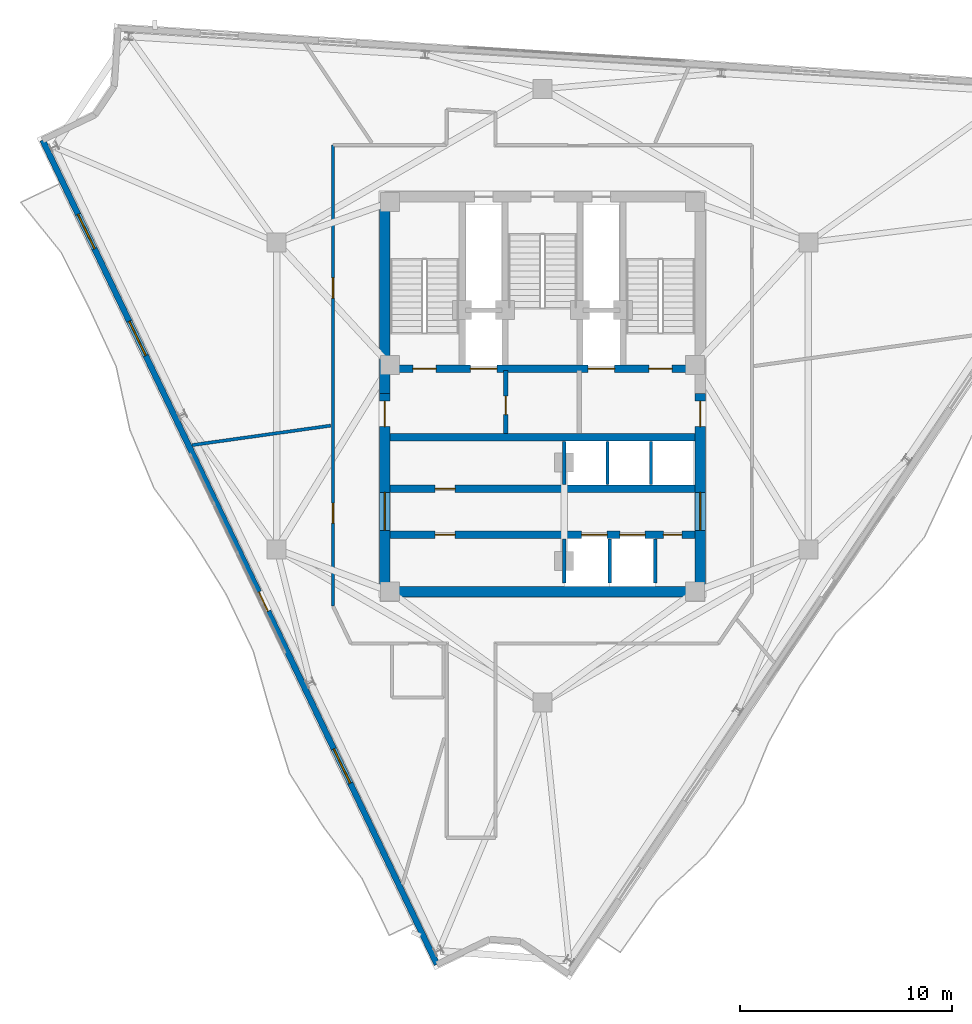
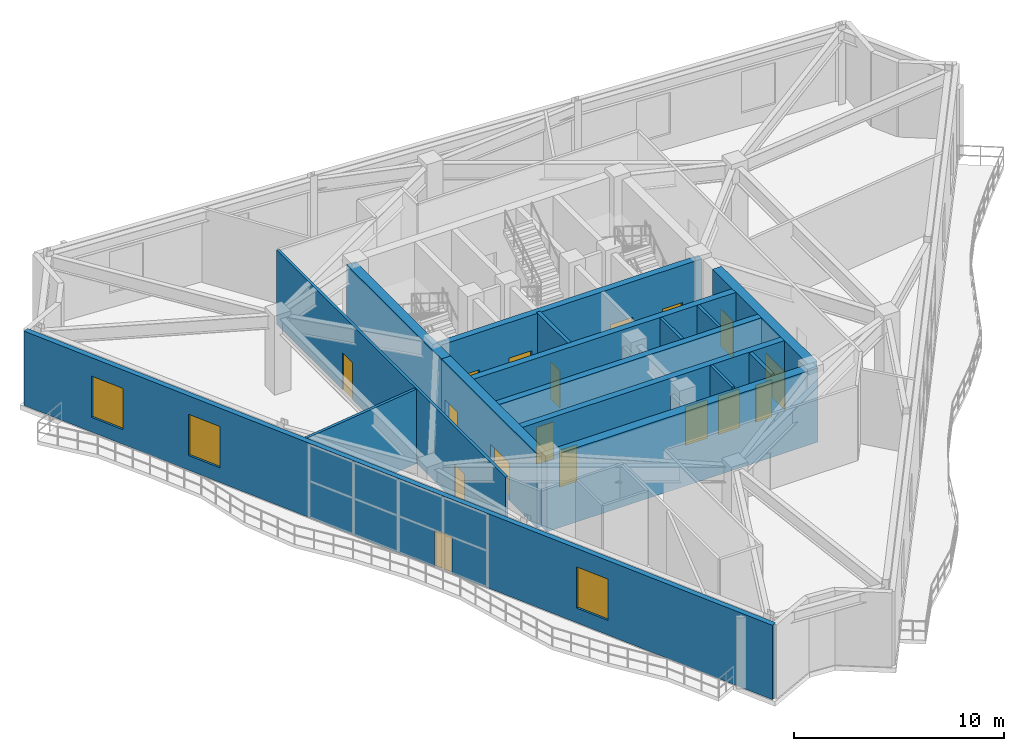
# One storey, part 10 of 15: 18 walls, 17 doors, 3 windows, 20 openings.
"""IFC4 building model written with IfcOpenShell, lengths in metres."""

from ifc_helpers import new_model, si_unit, direction, frame, frame_2d, origin, place, context, subcontext, project, spatial, rectangle, extrude, material, layer, layer_set, type_object, element, fill, save


model = new_model("IFC4")

# Units and contexts
model_context = context("Model", 3, precision=1e-05, world=origin(), true_north=direction((0.0, 1.0)))
body_context = subcontext(model_context, "Body", "Model", "MODEL_VIEW")
ifc_project = project(units=[si_unit("LENGTHUNIT", "METRE"), si_unit("AREAUNIT", "SQUARE_METRE"), si_unit("VOLUMEUNIT", "CUBIC_METRE"), si_unit("PLANEANGLEUNIT", "RADIAN"), si_unit("MASSUNIT", "GRAM", prefix="KILO")], contexts=[model_context])

# Site, building, storey
site_placement = place(None, origin())
site = spatial("IfcSite", under=ifc_project, at=site_placement, CompositionType="ELEMENT")
building_placement = place(site_placement, origin())
building = spatial("IfcBuilding", under=site, at=building_placement, Name="Apsidion Concourse Tower", CompositionType="ELEMENT")
storey_placement = place(building_placement, frame((0.0, 0.0, 318.800048828125)))
storey = spatial("IfcBuildingStorey", under=building, at=storey_placement, Name="L75", CompositionType="ELEMENT", Elevation=318.800048828125)

# Wall, openings, door, windows
ifc_material_1 = material(Name="Precast concrete C40/50", Category="concrete")
ifc_layer_1 = layer(ifc_material_1, 0.280029296875)
ifc_layer_set_1 = layer_set([ifc_layer_1], Name="Precast concrete C40/50")
wall_type_1 = type_object("IfcWallType", Name="WL-EXT-280", PredefinedType="STANDARD", material=ifc_layer_set_1)
wall_1_placement = place(storey_placement, frame((-4.98828125, -26.864501953125, 0.0), z_axis=(0.0, 0.0, 1.0), x_axis=(-0.431592936847, 0.902068476815, 0.0)))
wall_1 = element("IfcWall", 1, at=wall_1_placement, inside=storey, type_object=wall_type_1, Name="L75 Precast Stone Facade Wall 09", PredefinedType="STANDARD", context=body_context, shape_type="SweptSolid", body=[
    extrude(rectangle(XDim=43.18017578125, YDim=0.280029296875, at=frame_2d((21.590087890625, 0.0))), origin(), (0.0, 0.0, 1.0), 4.320068359375),
])
opening_1_placement = place(wall_1_placement, frame((18.499267578125, 0.0, 0.0)))
opening_1 = element("IfcOpeningElement", 2, at=opening_1_placement, cuts=wall_1, Name="Opening D-T1R", PredefinedType="OPENING", context=body_context, shape_type="SweptSolid", body=[
    extrude(rectangle(XDim=1.0, YDim=2.14990234375, at=frame_2d((0.5, 1.074951171875))), frame((0.0, 0.14990234375, 0.0), z_axis=(0.0, -1.0, 0.0), x_axis=(1.0, 0.0, 0.0)), (0.0, 0.0, 1.0), 0.300048828125),
])
opening_2_placement = place(wall_1_placement, frame((9.489990234375, 0.0, 0.85009765625)))
opening_2 = element("IfcOpeningElement", 3, at=opening_2_placement, cuts=wall_1, Name="Opening WN-09", PredefinedType="OPENING", context=body_context, shape_type="SweptSolid", body=[
    extrude(rectangle(XDim=1.800048828125, YDim=2.39990234375, at=frame_2d((0.89990234375, 1.199951171875))), frame((0.0, 0.14990234375, 0.0), z_axis=(0.0, -1.0, 0.0), x_axis=(1.0, 0.0, 0.0)), (0.0, 0.0, 1.0), 0.300048828125),
])
opening_3_placement = place(wall_1_placement, frame((31.889892578125, 0.0, 0.85009765625)))
opening_3 = element("IfcOpeningElement", 4, at=opening_3_placement, cuts=wall_1, Name="Opening WN-09", PredefinedType="OPENING", context=body_context, shape_type="SweptSolid", body=[
    extrude(rectangle(XDim=1.800048828125, YDim=2.39990234375, at=frame_2d((0.89990234375, 1.199951171875))), frame((0.0, 0.14990234375, 0.0), z_axis=(0.0, -1.0, 0.0), x_axis=(1.0, 0.0, 0.0)), (0.0, 0.0, 1.0), 0.300048828125),
])
opening_4_placement = place(wall_1_placement, frame((37.489990234375, 0.0, 0.85009765625)))
opening_4 = element("IfcOpeningElement", 5, at=opening_4_placement, cuts=wall_1, Name="Opening WN-09", PredefinedType="OPENING", context=body_context, shape_type="SweptSolid", body=[
    extrude(rectangle(XDim=1.800048828125, YDim=2.39990234375, at=frame_2d((0.89990234375, 1.199951171875))), frame((0.0, 0.14990234375, 0.0), z_axis=(0.0, -1.0, 0.0), x_axis=(1.0, 0.0, 0.0)), (0.0, 0.0, 1.0), 0.300048828125),
])
ifc_material_2 = material(Name="Anodised aluminium EN AW-6063 T6", Category="aluminium")
door_type_1 = type_object("IfcDoorType", Name="DR-TER-1022R", OperationType="SINGLE_SWING_RIGHT", PredefinedType="DOOR", material=ifc_material_2)
door_1_placement = place(opening_1_placement, origin())
door_1 = element("IfcDoor", 6, at=door_1_placement, inside=storey, type_object=door_type_1, Name="L75 Balcony Access Door 1", OperationType="SINGLE_SWING_RIGHT", OverallHeight=2.14990234375, OverallWidth=1.0, PredefinedType="DOOR", context=body_context, shape_type="SweptSolid", body=[
    extrude(rectangle(XDim=1.0, YDim=2.14990234375, at=frame_2d((0.5, 1.074951171875))), frame((0.0, 0.02490234375, 0.0), z_axis=(0.0, -1.0, 0.0), x_axis=(1.0, 0.0, 0.0)), (0.0, 0.0, 1.0), 0.050048828125),
])
fill(opening_1, door_1)
ifc_material_3 = material(Name="Insulated laminated low-E glass", Category="glass")
window_type = type_object("IfcWindowType", Name="WN-OBS-1826", PartitioningType="DOUBLE_PANEL_VERTICAL", PredefinedType="WINDOW", material=ifc_material_3)
window_1_placement = place(opening_2_placement, origin())
window_1 = element("IfcWindow", 7, at=window_1_placement, inside=storey, type_object=window_type, Name="L75 Punched Facade Window 9-02", OverallHeight=2.39990234375, OverallWidth=1.800048828125, PartitioningType="DOUBLE_PANEL_VERTICAL", PredefinedType="WINDOW", context=body_context, shape_type="SweptSolid", body=[
    extrude(rectangle(XDim=1.800048828125, YDim=2.39990234375, at=frame_2d((0.89990234375, 1.199951171875))), frame((0.0, 0.030029296875, 0.0), z_axis=(0.0, -1.0, 0.0), x_axis=(1.0, 0.0, 0.0)), (0.0, 0.0, 1.0), 0.06005859375),
])
fill(opening_2, window_1)
window_2_placement = place(opening_3_placement, origin())
window_2 = element("IfcWindow", 8, at=window_2_placement, inside=storey, type_object=window_type, Name="L75 Punched Facade Window 9-06", OverallHeight=2.39990234375, OverallWidth=1.800048828125, PartitioningType="DOUBLE_PANEL_VERTICAL", PredefinedType="WINDOW", context=body_context, shape_type="SweptSolid", body=[
    extrude(rectangle(XDim=1.800048828125, YDim=2.39990234375, at=frame_2d((0.89990234375, 1.199951171875))), frame((0.0, 0.030029296875, 0.0), z_axis=(0.0, -1.0, 0.0), x_axis=(1.0, 0.0, 0.0)), (0.0, 0.0, 1.0), 0.06005859375),
])
fill(opening_3, window_2)
window_3_placement = place(opening_4_placement, origin())
window_3 = element("IfcWindow", 9, at=window_3_placement, inside=storey, type_object=window_type, Name="L75 Punched Facade Window 9-07", OverallHeight=2.39990234375, OverallWidth=1.800048828125, PartitioningType="DOUBLE_PANEL_VERTICAL", PredefinedType="WINDOW", context=body_context, shape_type="SweptSolid", body=[
    extrude(rectangle(XDim=1.800048828125, YDim=2.39990234375, at=frame_2d((0.89990234375, 1.199951171875))), frame((0.0, 0.030029296875, 0.0), z_axis=(0.0, -1.0, 0.0), x_axis=(1.0, 0.0, 0.0)), (0.0, 0.0, 1.0), 0.06005859375),
])
fill(opening_4, window_3)

# Walls
ifc_material_4 = material(Name="Gypsum plasterboard partition")
ifc_layer_2 = layer(ifc_material_4, 0.14990234375)
ifc_layer_set_2 = layer_set([ifc_layer_2], Name="Gypsum plasterboard partition")
wall_type_2 = type_object("IfcWallType", Name="WL-INT-PAR-150", PredefinedType="PARTITIONING", material=ifc_layer_set_2)
for number, where, z_axis, x_axis, name in (
    (10, (3.074951171875, -4.179931640625, 0.0), (0.0, 0.0, 1.0), (0.0, 1.0, 0.0), "L75 Interior Partition WL-L75-B3DIV-1"),
    (11, (5.125, -4.179931640625, 0.0), (0.0, 0.0, 1.0), (0.0, 1.0, 0.0), "L75 Interior Partition WL-L75-B3DIV-2"),
):
    element("IfcWall", number, at=place(storey_placement, frame(where, z_axis=z_axis, x_axis=x_axis)), inside=storey, type_object=wall_type_2, Name=name, PredefinedType="PARTITIONING", context=body_context, shape_type="SweptSolid", body=[
        extrude(rectangle(XDim=2.030029296875, YDim=0.14990234375, at=frame_2d((1.01513671875, 0.0))), origin(), (0.0, 0.0, 1.0), 4.320068359375),
    ])
wall_2_placement = place(storey_placement, frame((3.175048828125, -8.85009765625, 0.0), z_axis=(0.0, 0.0, 1.0), x_axis=(0.0, 1.0, 0.0)))
element("IfcWall", 12, at=wall_2_placement, inside=storey, type_object=wall_type_2, Name="L75 Interior Partition WL-L75-SHDIV-1", PredefinedType="PARTITIONING", context=body_context, shape_type="SweptSolid", body=[
    extrude(rectangle(XDim=2.080078125, YDim=0.14990234375, at=frame_2d((1.0400390625, 0.0))), origin(), (0.0, 0.0, 1.0), 4.320068359375),
])

# Wall, openings, doors
wall_3_placement = place(storey_placement, frame((-9.89990234375, -9.93701171875, 0.0), z_axis=(0.0, 0.0, 1.0), x_axis=(0.0, 1.0, 0.0)))
wall_3 = element("IfcWall", 13, at=wall_3_placement, inside=storey, type_object=wall_type_2, Name="L75 Interior Partition WL-L75-CORR-03", PredefinedType="PARTITIONING", context=body_context, shape_type="SweptSolid", body=[
    extrude(rectangle(XDim=21.787109375, YDim=0.14990234375, at=frame_2d((10.8935546875, 0.0))), origin(), (0.0, 0.0, 1.0), 4.320068359375),
])
opening_5_placement = place(wall_3_placement, frame((3.91943359375, 0.0, 0.0)))
opening_5 = element("IfcOpeningElement", 14, at=opening_5_placement, cuts=wall_3, Name="Opening D-01L", PredefinedType="OPENING", context=body_context, shape_type="SweptSolid", body=[
    extrude(rectangle(XDim=0.949951171875, YDim=2.14990234375, at=frame_2d((0.47509765625, 1.074951171875))), frame((0.0, 0.0849609375, 0.0), z_axis=(0.0, -1.0, 0.0), x_axis=(1.0, 0.0, 0.0)), (0.0, 0.0, 1.0), 0.169921875),
])
opening_6_placement = place(wall_3_placement, frame((14.55810546875, 0.0, 0.0)))
opening_6 = element("IfcOpeningElement", 15, at=opening_6_placement, cuts=wall_3, Name="Opening D-01R", PredefinedType="OPENING", context=body_context, shape_type="SweptSolid", body=[
    extrude(rectangle(XDim=0.949951171875, YDim=2.14990234375, at=frame_2d((0.47509765625, 1.074951171875))), frame((0.0, 0.0849609375, 0.0), z_axis=(0.0, -1.0, 0.0), x_axis=(1.0, 0.0, 0.0)), (0.0, 0.0, 1.0), 0.169921875),
])
ifc_material_5 = material(Name="Brushed stainless steel 316", Category="steel")
door_type_2 = type_object("IfcDoorType", Name="DR-INT-D01L", OperationType="SINGLE_SWING_LEFT", PredefinedType="DOOR", material=ifc_material_5)
door_2_placement = place(opening_5_placement, origin())
door_2 = element("IfcDoor", 16, at=door_2_placement, inside=storey, type_object=door_type_2, Name="L75 Corridor Entry Door 01", OperationType="SINGLE_SWING_LEFT", OverallHeight=2.14990234375, OverallWidth=0.949951171875, PredefinedType="DOOR", context=body_context, shape_type="SweptSolid", body=[
    extrude(rectangle(XDim=0.949951171875, YDim=2.14990234375, at=frame_2d((0.47509765625, 1.074951171875))), frame((0.0, 0.02490234375, 0.0), z_axis=(0.0, -1.0, 0.0), x_axis=(1.0, 0.0, 0.0)), (0.0, 0.0, 1.0), 0.050048828125),
])
fill(opening_5, door_2)
door_type_3 = type_object("IfcDoorType", Name="DR-INT-D01R", OperationType="SINGLE_SWING_RIGHT", PredefinedType="DOOR", material=ifc_material_5)
door_3_placement = place(opening_6_placement, origin())
door_3 = element("IfcDoor", 17, at=door_3_placement, inside=storey, type_object=door_type_3, Name="L75 Corridor Entry Door 06", OperationType="SINGLE_SWING_RIGHT", OverallHeight=2.14990234375, OverallWidth=0.949951171875, PredefinedType="DOOR", context=body_context, shape_type="SweptSolid", body=[
    extrude(rectangle(XDim=0.949951171875, YDim=2.14990234375, at=frame_2d((0.47509765625, 1.074951171875))), frame((0.0, 0.02490234375, 0.0), z_axis=(0.0, -1.0, 0.0), x_axis=(1.0, 0.0, 0.0)), (0.0, 0.0, 1.0), 0.050048828125),
])
fill(opening_6, door_3)

# Walls
wall_4_placement = place(storey_placement, frame((-10.0048828125, -1.406005859375, 0.0), z_axis=(0.0, 0.0, 1.0), x_axis=(-0.99026508468, -0.139194332007, 0.0)))
element("IfcWall", 18, at=wall_4_placement, inside=storey, type_object=wall_type_2, Name="L75 Interior Partition WL-L75-RAD-03-1", PredefinedType="PARTITIONING", context=body_context, shape_type="SweptSolid", body=[
    extrude(rectangle(XDim=6.615966796875, YDim=0.14990234375, at=frame_2d((3.30810546875, 0.0))), origin(), (0.0, 0.0, 1.0), 4.320068359375),
])
ifc_layer_3 = layer(ifc_material_4, 0.179931640625)
ifc_layer_set_3 = layer_set([ifc_layer_3], Name="Gypsum plasterboard partition")
wall_type_3 = type_object("IfcWallType", Name="WL-INT-PAR-180", PredefinedType="PARTITIONING", material=ifc_layer_set_3)
wall_5_placement = place(storey_placement, frame((1.02490234375, -4.179931640625, 0.0), z_axis=(0.0, 0.0, 1.0), x_axis=(0.0, 1.0, 0.0)))
element("IfcWall", 19, at=wall_5_placement, inside=storey, type_object=wall_type_3, Name="L75 Interior Partition WL-L75-B1END", PredefinedType="PARTITIONING", context=body_context, shape_type="SweptSolid", body=[
    extrude(rectangle(XDim=2.030029296875, YDim=0.179931640625, at=frame_2d((1.01513671875, 0.0))), origin(), (0.0, 0.0, 1.0), 3.367919921875),
])
wall_6_placement = place(storey_placement, frame((1.02490234375, -8.85009765625, 0.0), z_axis=(0.0, 0.0, 1.0), x_axis=(0.0, 1.0, 0.0)))
element("IfcWall", 20, at=wall_6_placement, inside=storey, type_object=wall_type_3, Name="L75 Interior Partition WL-L75-B2END", PredefinedType="PARTITIONING", context=body_context, shape_type="SweptSolid", body=[
    extrude(rectangle(XDim=2.080078125, YDim=0.179931640625, at=frame_2d((1.0400390625, 0.0))), origin(), (0.0, 0.0, 1.0), 3.367919921875),
])
wall_7_placement = place(storey_placement, frame((5.324951171875, -8.85009765625, 0.0), z_axis=(0.0, 0.0, 1.0), x_axis=(0.0, 1.0, 0.0)))
element("IfcWall", 21, at=wall_7_placement, inside=storey, type_object=wall_type_3, Name="L75 Interior Partition WL-L75-SHDIV-2", PredefinedType="PARTITIONING", context=body_context, shape_type="SweptSolid", body=[
    extrude(rectangle(XDim=2.080078125, YDim=0.179931640625, at=frame_2d((1.0400390625, 0.0))), origin(), (0.0, 0.0, 1.0), 4.320068359375),
])

# Wall, opening, door
ifc_layer_4 = layer(ifc_material_4, 0.199951171875)
ifc_layer_set_4 = layer_set([ifc_layer_4], Name="Gypsum plasterboard partition")
wall_type_4 = type_object("IfcWallType", Name="WL-INT-PAR-200", PredefinedType="PARTITIONING", material=ifc_layer_set_4)
wall_8_placement = place(storey_placement, frame((-1.739990234375, -1.780029296875, 0.0), z_axis=(0.0, 0.0, 1.0), x_axis=(0.0, 1.0, 0.0)))
wall_8 = element("IfcWall", 22, at=wall_8_placement, inside=storey, type_object=wall_type_4, Name="L75 Interior Partition WL-L75-FF1-E", PredefinedType="PARTITIONING", context=body_context, shape_type="SweptSolid", body=[
    extrude(rectangle(XDim=2.97998046875, YDim=0.199951171875, at=frame_2d((1.489990234375, 0.0))), origin(), (0.0, 0.0, 1.0), 4.320068359375),
])
opening_7_placement = place(wall_8_placement, frame((0.889892578125, 0.0, 0.0)))
opening_7 = element("IfcOpeningElement", 23, at=opening_7_placement, cuts=wall_8, Name="Opening D-05R", PredefinedType="OPENING", context=body_context, shape_type="SweptSolid", body=[
    extrude(rectangle(XDim=0.8798828125, YDim=2.14990234375, at=frame_2d((0.43994140625, 1.074951171875))), frame((0.0, 0.10986328125, 0.0), z_axis=(0.0, -1.0, 0.0), x_axis=(1.0, 0.0, 0.0)), (0.0, 0.0, 1.0), 0.219970703125),
])
door_type_4 = type_object("IfcDoorType", Name="DR-INT-D05R", OperationType="SINGLE_SWING_RIGHT", PredefinedType="DOOR", material=ifc_material_5)
door_4_placement = place(opening_7_placement, origin())
door_4 = element("IfcDoor", 24, at=door_4_placement, inside=storey, type_object=door_type_4, Name="L75 Core BMS Door", OperationType="SINGLE_SWING_RIGHT", OverallHeight=2.14990234375, OverallWidth=0.8798828125, PredefinedType="DOOR", context=body_context, shape_type="SweptSolid", body=[
    extrude(rectangle(XDim=0.8798828125, YDim=2.14990234375, at=frame_2d((0.43994140625, 1.074951171875))), frame((0.0, 0.02490234375, 0.0), z_axis=(0.0, -1.0, 0.0), x_axis=(1.0, 0.0, 0.0)), (0.0, 0.0, 1.0), 0.050048828125),
])
fill(opening_7, door_4)

# Wall, openings, doors
ifc_material_6 = material(Name="Concrete C50/60", Category="concrete")
ifc_layer_5 = layer(ifc_material_6, 0.35009765625)
ifc_layer_set_5 = layer_set([ifc_layer_5], Name="Concrete C50/60")
wall_type_5 = type_object("IfcWallType", Name="WL-SH-350", PredefinedType="SHEAR", material=ifc_layer_set_5)
wall_9_placement = place(storey_placement, frame((-7.199951171875, 1.27490234375, 0.0), z_axis=(0.0, 0.0, 1.0), x_axis=(1.0, 0.0, 0.0)))
wall_9 = element("IfcWall", 25, at=wall_9_placement, inside=storey, type_object=wall_type_5, Name="L75 Central Core Shear Wall M1", PredefinedType="SHEAR", context=body_context, shape_type="SweptSolid", body=[
    extrude(rectangle(XDim=14.39990234375, YDim=0.35009765625, at=frame_2d((7.199951171875, 0.0))), origin(), (0.0, 0.0, 1.0), 4.320068359375),
])
opening_8_placement = place(wall_9_placement, frame((3.794921875, 0.0, 0.0)))
opening_8 = element("IfcOpeningElement", 26, at=opening_8_placement, cuts=wall_9, Name="Opening LD-FF", PredefinedType="OPENING", context=body_context, shape_type="SweptSolid", body=[
    extrude(rectangle(XDim=1.25, YDim=2.25, at=frame_2d((0.625, 1.125))), frame((0.0, 0.18505859375, 0.0), z_axis=(0.0, -1.0, 0.0), x_axis=(1.0, 0.0, 0.0)), (0.0, 0.0, 1.0), 0.3701171875),
])
opening_9_placement = place(wall_9_placement, frame((9.35498046875, 0.0, 0.0)))
opening_9 = element("IfcOpeningElement", 27, at=opening_9_placement, cuts=wall_9, Name="Opening LD-FF", PredefinedType="OPENING", context=body_context, shape_type="SweptSolid", body=[
    extrude(rectangle(XDim=1.25, YDim=2.25, at=frame_2d((0.625, 1.125))), frame((0.0, 0.18505859375, 0.0), z_axis=(0.0, -1.0, 0.0), x_axis=(1.0, 0.0, 0.0)), (0.0, 0.0, 1.0), 0.3701171875),
])
opening_10_placement = place(wall_9_placement, frame((1.074951171875, 0.0, 0.0)))
opening_10 = element("IfcOpeningElement", 28, at=opening_10_placement, cuts=wall_9, Name="Opening D-STL", PredefinedType="OPENING", context=body_context, shape_type="SweptSolid", body=[
    extrude(rectangle(XDim=1.10009765625, YDim=2.14990234375, at=frame_2d((0.550048828125, 1.074951171875))), frame((0.0, 0.18505859375, 0.0), z_axis=(0.0, -1.0, 0.0), x_axis=(1.0, 0.0, 0.0)), (0.0, 0.0, 1.0), 0.3701171875),
])
opening_11_placement = place(wall_9_placement, frame((12.22509765625, 0.0, 0.0)))
opening_11 = element("IfcOpeningElement", 29, at=opening_11_placement, cuts=wall_9, Name="Opening D-STR", PredefinedType="OPENING", context=body_context, shape_type="SweptSolid", body=[
    extrude(rectangle(XDim=1.10009765625, YDim=2.14990234375, at=frame_2d((0.550048828125, 1.074951171875))), frame((0.0, 0.18505859375, 0.0), z_axis=(0.0, -1.0, 0.0), x_axis=(1.0, 0.0, 0.0)), (0.0, 0.0, 1.0), 0.3701171875),
])
door_type_5 = type_object("IfcDoorType", Name="DR-INT-ST1L", OperationType="SINGLE_SWING_LEFT", PredefinedType="DOOR", material=ifc_material_5)
door_5_placement = place(opening_10_placement, origin())
door_5 = element("IfcDoor", 30, at=door_5_placement, inside=storey, type_object=door_type_5, Name="L75 Core Exit Stair ST1 Door", OperationType="SINGLE_SWING_LEFT", OverallHeight=2.14990234375, OverallWidth=1.10009765625, PredefinedType="DOOR", context=body_context, shape_type="SweptSolid", body=[
    extrude(rectangle(XDim=1.10009765625, YDim=2.14990234375, at=frame_2d((0.550048828125, 1.074951171875))), frame((0.0, 0.02490234375, 0.0), z_axis=(0.0, -1.0, 0.0), x_axis=(1.0, 0.0, 0.0)), (0.0, 0.0, 1.0), 0.050048828125),
])
fill(opening_10, door_5)
door_type_6 = type_object("IfcDoorType", Name="DR-INT-ST1R", OperationType="SINGLE_SWING_RIGHT", PredefinedType="DOOR", material=ifc_material_5)
door_6_placement = place(opening_11_placement, origin())
door_6 = element("IfcDoor", 31, at=door_6_placement, inside=storey, type_object=door_type_6, Name="L75 Core Exit Stair ST2 Door", OperationType="SINGLE_SWING_RIGHT", OverallHeight=2.14990234375, OverallWidth=1.10009765625, PredefinedType="DOOR", context=body_context, shape_type="SweptSolid", body=[
    extrude(rectangle(XDim=1.10009765625, YDim=2.14990234375, at=frame_2d((0.550048828125, 1.074951171875))), frame((0.0, 0.02490234375, 0.0), z_axis=(0.0, -1.0, 0.0), x_axis=(1.0, 0.0, 0.0)), (0.0, 0.0, 1.0), 0.050048828125),
])
fill(opening_11, door_6)
door_type_7 = type_object("IfcDoorType", Name="DR-LD-FSAE", OperationType="DOUBLE_DOOR_SLIDING", PredefinedType="DOOR", material=ifc_material_5)
door_7_placement = place(opening_8_placement, origin())
door_7 = element("IfcDoor", 32, at=door_7_placement, inside=storey, type_object=door_type_7, Name="L75 Lift Landing Door FF1", OperationType="DOUBLE_DOOR_SLIDING", OverallHeight=2.25, OverallWidth=1.25, PredefinedType="DOOR", context=body_context, shape_type="SweptSolid", body=[
    extrude(rectangle(XDim=1.25, YDim=2.25, at=frame_2d((0.625, 1.125))), frame((0.0, 0.02490234375, 0.0), z_axis=(0.0, -1.0, 0.0), x_axis=(1.0, 0.0, 0.0)), (0.0, 0.0, 1.0), 0.050048828125),
])
fill(opening_8, door_7)
door_8_placement = place(opening_9_placement, origin())
door_8 = element("IfcDoor", 33, at=door_8_placement, inside=storey, type_object=door_type_7, Name="L75 Lift Landing Door FF2", OperationType="DOUBLE_DOOR_SLIDING", OverallHeight=2.25, OverallWidth=1.25, PredefinedType="DOOR", context=body_context, shape_type="SweptSolid", body=[
    extrude(rectangle(XDim=1.25, YDim=2.25, at=frame_2d((0.625, 1.125))), frame((0.0, 0.02490234375, 0.0), z_axis=(0.0, -1.0, 0.0), x_axis=(1.0, 0.0, 0.0)), (0.0, 0.0, 1.0), 0.050048828125),
])
fill(opening_9, door_8)

# Wall
wall_10_placement = place(storey_placement, frame((-7.199951171875, -1.949951171875, 0.0), z_axis=(0.0, 0.0, 1.0), x_axis=(1.0, 0.0, 0.0)))
element("IfcWall", 34, at=wall_10_placement, inside=storey, type_object=wall_type_5, Name="L75 Central Core Shear Wall M2", PredefinedType="SHEAR", context=body_context, shape_type="SweptSolid", body=[
    extrude(rectangle(XDim=14.39990234375, YDim=0.35009765625, at=frame_2d((7.199951171875, 0.0))), origin(), (0.0, 0.0, 1.0), 4.320068359375),
])

# Wall, opening, door
wall_11_placement = place(storey_placement, frame((-7.199951171875, -4.3798828125, 0.0), z_axis=(0.0, 0.0, 1.0), x_axis=(1.0, 0.0, 0.0)))
wall_11 = element("IfcWall", 35, at=wall_11_placement, inside=storey, type_object=wall_type_5, Name="L75 Central Core Shear Wall LA", PredefinedType="SHEAR", context=body_context, shape_type="SweptSolid", body=[
    extrude(rectangle(XDim=14.39990234375, YDim=0.35009765625, at=frame_2d((7.199951171875, 0.0))), origin(), (0.0, 0.0, 1.0), 4.320068359375),
])
opening_12_placement = place(wall_11_placement, frame((2.125, 0.0, 0.0)))
opening_12 = element("IfcOpeningElement", 36, at=opening_12_placement, cuts=wall_11, Name="Opening D-04L", PredefinedType="OPENING", context=body_context, shape_type="SweptSolid", body=[
    extrude(rectangle(XDim=0.949951171875, YDim=2.14990234375, at=frame_2d((0.47509765625, 1.074951171875))), frame((0.0, 0.18505859375, 0.0), z_axis=(0.0, -1.0, 0.0), x_axis=(1.0, 0.0, 0.0)), (0.0, 0.0, 1.0), 0.3701171875),
])
door_type_8 = type_object("IfcDoorType", Name="DR-INT-D04L", OperationType="SINGLE_SWING_LEFT", PredefinedType="DOOR", material=ifc_material_5)
door_9_placement = place(opening_12_placement, origin())
door_9 = element("IfcDoor", 37, at=door_9_placement, inside=storey, type_object=door_type_8, Name="L75 Tenant Archive and Print Room Door", OperationType="SINGLE_SWING_LEFT", OverallHeight=2.14990234375, OverallWidth=0.949951171875, PredefinedType="DOOR", context=body_context, shape_type="SweptSolid", body=[
    extrude(rectangle(XDim=0.949951171875, YDim=2.14990234375, at=frame_2d((0.47509765625, 1.074951171875))), frame((0.0, 0.02490234375, 0.0), z_axis=(0.0, -1.0, 0.0), x_axis=(1.0, 0.0, 0.0)), (0.0, 0.0, 1.0), 0.050048828125),
])
fill(opening_12, door_9)

# Wall, openings, doors
wall_12_placement = place(storey_placement, frame((-7.199951171875, -6.570068359375, 0.0), z_axis=(0.0, 0.0, 1.0), x_axis=(1.0, 0.0, 0.0)))
wall_12 = element("IfcWall", 38, at=wall_12_placement, inside=storey, type_object=wall_type_5, Name="L75 Central Core Shear Wall LB", PredefinedType="SHEAR", context=body_context, shape_type="SweptSolid", body=[
    extrude(rectangle(XDim=14.39990234375, YDim=0.35009765625, at=frame_2d((7.199951171875, 0.0))), origin(), (0.0, 0.0, 1.0), 4.320068359375),
])
opening_13_placement = place(wall_12_placement, frame((9.050048828125, 0.0, 0.0)))
opening_13 = element("IfcOpeningElement", 39, at=opening_13_placement, cuts=wall_12, Name="Opening LD-S1", PredefinedType="OPENING", context=body_context, shape_type="SweptSolid", body=[
    extrude(rectangle(XDim=1.199951171875, YDim=2.25, at=frame_2d((0.60009765625, 1.125))), frame((0.0, 0.18505859375, 0.0), z_axis=(0.0, -1.0, 0.0), x_axis=(1.0, 0.0, 0.0)), (0.0, 0.0, 1.0), 0.3701171875),
])
opening_14_placement = place(wall_12_placement, frame((10.85009765625, 0.0, 0.0)))
opening_14 = element("IfcOpeningElement", 40, at=opening_14_placement, cuts=wall_12, Name="Opening LD-S1", PredefinedType="OPENING", context=body_context, shape_type="SweptSolid", body=[
    extrude(rectangle(XDim=1.199951171875, YDim=2.25, at=frame_2d((0.60009765625, 1.125))), frame((0.0, 0.18505859375, 0.0), z_axis=(0.0, -1.0, 0.0), x_axis=(1.0, 0.0, 0.0)), (0.0, 0.0, 1.0), 0.3701171875),
])
opening_15_placement = place(wall_12_placement, frame((2.125, 0.0, 0.0)))
opening_15 = element("IfcOpeningElement", 41, at=opening_15_placement, cuts=wall_12, Name="Opening D-04R", PredefinedType="OPENING", context=body_context, shape_type="SweptSolid", body=[
    extrude(rectangle(XDim=0.949951171875, YDim=2.14990234375, at=frame_2d((0.47509765625, 1.074951171875))), frame((0.0, 0.18505859375, 0.0), z_axis=(0.0, -1.0, 0.0), x_axis=(1.0, 0.0, 0.0)), (0.0, 0.0, 1.0), 0.3701171875),
])
opening_16_placement = place(wall_12_placement, frame((12.909912109375, 0.0, 0.0)))
opening_16 = element("IfcOpeningElement", 42, at=opening_16_placement, cuts=wall_12, Name="Opening D-05L", PredefinedType="OPENING", context=body_context, shape_type="SweptSolid", body=[
    extrude(rectangle(XDim=0.8798828125, YDim=2.14990234375, at=frame_2d((0.43994140625, 1.074951171875))), frame((0.0, 0.18505859375, 0.0), z_axis=(0.0, -1.0, 0.0), x_axis=(1.0, 0.0, 0.0)), (0.0, 0.0, 1.0), 0.3701171875),
])
door_type_9 = type_object("IfcDoorType", Name="DR-INT-D04R", OperationType="SINGLE_SWING_RIGHT", PredefinedType="DOOR", material=ifc_material_5)
door_10_placement = place(opening_15_placement, origin())
door_10 = element("IfcDoor", 43, at=door_10_placement, inside=storey, type_object=door_type_9, Name="L75 Executive Catering Pantry Door", OperationType="SINGLE_SWING_RIGHT", OverallHeight=2.14990234375, OverallWidth=0.949951171875, PredefinedType="DOOR", context=body_context, shape_type="SweptSolid", body=[
    extrude(rectangle(XDim=0.949951171875, YDim=2.14990234375, at=frame_2d((0.47509765625, 1.074951171875))), frame((0.0, 0.02490234375, 0.0), z_axis=(0.0, -1.0, 0.0), x_axis=(1.0, 0.0, 0.0)), (0.0, 0.0, 1.0), 0.050048828125),
])
fill(opening_15, door_10)
door_type_10 = type_object("IfcDoorType", Name="DR-INT-D05L", OperationType="SINGLE_SWING_LEFT", PredefinedType="DOOR", material=ifc_material_5)
door_11_placement = place(opening_16_placement, origin())
door_11 = element("IfcDoor", 44, at=door_11_placement, inside=storey, type_object=door_type_10, Name="L75 Cleaners Store Door", OperationType="SINGLE_SWING_LEFT", OverallHeight=2.14990234375, OverallWidth=0.8798828125, PredefinedType="DOOR", context=body_context, shape_type="SweptSolid", body=[
    extrude(rectangle(XDim=0.8798828125, YDim=2.14990234375, at=frame_2d((0.43994140625, 1.074951171875))), frame((0.0, 0.02490234375, 0.0), z_axis=(0.0, -1.0, 0.0), x_axis=(1.0, 0.0, 0.0)), (0.0, 0.0, 1.0), 0.050048828125),
])
fill(opening_16, door_11)
door_type_11 = type_object("IfcDoorType", Name="DR-LD-SHUT", OperationType="DOUBLE_DOOR_SLIDING", PredefinedType="DOOR", material=ifc_material_5)
door_12_placement = place(opening_13_placement, origin())
door_12 = element("IfcDoor", 45, at=door_12_placement, inside=storey, type_object=door_type_11, Name="L75 Lift Landing Door P12", OperationType="DOUBLE_DOOR_SLIDING", OverallHeight=2.25, OverallWidth=1.199951171875, PredefinedType="DOOR", context=body_context, shape_type="SweptSolid", body=[
    extrude(rectangle(XDim=1.199951171875, YDim=2.25, at=frame_2d((0.60009765625, 1.125))), frame((0.0, 0.02490234375, 0.0), z_axis=(0.0, -1.0, 0.0), x_axis=(1.0, 0.0, 0.0)), (0.0, 0.0, 1.0), 0.050048828125),
])
fill(opening_13, door_12)
door_13_placement = place(opening_14_placement, origin())
door_13 = element("IfcDoor", 46, at=door_13_placement, inside=storey, type_object=door_type_11, Name="L75 Lift Landing Door P13", OperationType="DOUBLE_DOOR_SLIDING", OverallHeight=2.25, OverallWidth=1.199951171875, PredefinedType="DOOR", context=body_context, shape_type="SweptSolid", body=[
    extrude(rectangle(XDim=1.199951171875, YDim=2.25, at=frame_2d((0.60009765625, 1.125))), frame((0.0, 0.02490234375, 0.0), z_axis=(0.0, -1.0, 0.0), x_axis=(1.0, 0.0, 0.0)), (0.0, 0.0, 1.0), 0.050048828125),
])
fill(opening_14, door_13)

# Wall
ifc_layer_6 = layer(ifc_material_6, 0.5)
ifc_layer_set_6 = layer_set([ifc_layer_6], Name="Concrete C50/60")
wall_type_6 = type_object("IfcWallType", Name="WL-SH-500", PredefinedType="SHEAR", material=ifc_layer_set_6)
wall_13_placement = place(storey_placement, frame((-7.449951171875, 0.10009765625, 0.0), z_axis=(0.0, 0.0, 1.0), x_axis=(0.0, 1.0, 0.0)))
element("IfcWall", 47, at=wall_13_placement, inside=storey, type_object=wall_type_6, Name="L75 Central Core Shear Wall WN", PredefinedType="SHEAR", context=body_context, shape_type="SweptSolid", body=[
    extrude(rectangle(XDim=9.0498046875, YDim=0.5, at=frame_2d((4.52490234375, 0.0))), origin(), (0.0, 0.0, 1.0), 4.320068359375),
])

# Wall, openings, doors
wall_14_placement = place(storey_placement, frame((-7.449951171875, -9.0, 0.0), z_axis=(0.0, 0.0, 1.0), x_axis=(0.0, 1.0, 0.0)))
wall_14 = element("IfcWall", 48, at=wall_14_placement, inside=storey, type_object=wall_type_6, Name="L75 Central Core Shear Wall WS", PredefinedType="SHEAR", context=body_context, shape_type="SweptSolid", body=[
    extrude(rectangle(XDim=9.10009765625, YDim=0.5, at=frame_2d((4.550048828125, 0.0))), origin(), (0.0, 0.0, 1.0), 4.320068359375),
])
opening_17_placement = place(wall_14_placement, frame((2.639892578125, 0.0, 0.0)))
opening_17 = element("IfcOpeningElement", 49, at=opening_17_placement, cuts=wall_14, Name="Opening D-06D", PredefinedType="OPENING", context=body_context, shape_type="SweptSolid", body=[
    extrude(rectangle(XDim=1.800048828125, YDim=2.199951171875, at=frame_2d((0.89990234375, 1.10009765625))), frame((0.0, 0.260009765625, 0.0), z_axis=(0.0, -1.0, 0.0), x_axis=(1.0, 0.0, 0.0)), (0.0, 0.0, 1.0), 0.52001953125),
])
opening_18_placement = place(wall_14_placement, frame((7.550048828125, 0.0, 0.0)))
opening_18 = element("IfcOpeningElement", 50, at=opening_18_placement, cuts=wall_14, Name="Opening D-FFL", PredefinedType="OPENING", context=body_context, shape_type="SweptSolid", body=[
    extrude(rectangle(XDim=1.199951171875, YDim=2.14990234375, at=frame_2d((0.60009765625, 1.074951171875))), frame((0.0, 0.260009765625, 0.0), z_axis=(0.0, -1.0, 0.0), x_axis=(1.0, 0.0, 0.0)), (0.0, 0.0, 1.0), 0.52001953125),
])
door_type_12 = type_object("IfcDoorType", Name="DR-INT-D06D", OperationType="DOUBLE_DOOR_SINGLE_SWING", PredefinedType="DOOR", material=ifc_material_5)
door_14_placement = place(opening_17_placement, origin())
door_14 = element("IfcDoor", 51, at=door_14_placement, inside=storey, type_object=door_type_12, Name="L75 Passenger Lift Lobby WS Portal Door", OperationType="DOUBLE_DOOR_SINGLE_SWING", OverallHeight=2.199951171875, OverallWidth=1.800048828125, PredefinedType="DOOR", context=body_context, shape_type="SweptSolid", body=[
    extrude(rectangle(XDim=1.800048828125, YDim=2.199951171875, at=frame_2d((0.89990234375, 1.10009765625))), frame((0.0, 0.02490234375, 0.0), z_axis=(0.0, -1.0, 0.0), x_axis=(1.0, 0.0, 0.0)), (0.0, 0.0, 1.0), 0.050048828125),
])
fill(opening_17, door_14)
door_type_13 = type_object("IfcDoorType", Name="DR-INT-FFL", OperationType="SINGLE_SWING_LEFT", PredefinedType="DOOR", material=ifc_material_5)
door_15_placement = place(opening_18_placement, origin())
door_15 = element("IfcDoor", 52, at=door_15_placement, inside=storey, type_object=door_type_13, Name="L75 Firefighting Lift Lobby FF1 Door", OperationType="SINGLE_SWING_LEFT", OverallHeight=2.14990234375, OverallWidth=1.199951171875, PredefinedType="DOOR", context=body_context, shape_type="SweptSolid", body=[
    extrude(rectangle(XDim=1.199951171875, YDim=2.14990234375, at=frame_2d((0.60009765625, 1.074951171875))), frame((0.0, 0.02490234375, 0.0), z_axis=(0.0, -1.0, 0.0), x_axis=(1.0, 0.0, 0.0)), (0.0, 0.0, 1.0), 0.050048828125),
])
fill(opening_18, door_15)

wall_15_placement = place(storey_placement, frame((7.449951171875, -9.0, 0.0), z_axis=(0.0, 0.0, 1.0), x_axis=(0.0, 1.0, 0.0)))
wall_15 = element("IfcWall", 53, at=wall_15_placement, inside=storey, type_object=wall_type_6, Name="L75 Central Core Shear Wall ES", PredefinedType="SHEAR", context=body_context, shape_type="SweptSolid", body=[
    extrude(rectangle(XDim=9.10009765625, YDim=0.5, at=frame_2d((4.550048828125, 0.0))), origin(), (0.0, 0.0, 1.0), 4.320068359375),
])
opening_19_placement = place(wall_15_placement, frame((2.639892578125, 0.0, 0.0)))
opening_19 = element("IfcOpeningElement", 54, at=opening_19_placement, cuts=wall_15, Name="Opening D-06D", PredefinedType="OPENING", context=body_context, shape_type="SweptSolid", body=[
    extrude(rectangle(XDim=1.800048828125, YDim=2.199951171875, at=frame_2d((0.89990234375, 1.10009765625))), frame((0.0, 0.260009765625, 0.0), z_axis=(0.0, -1.0, 0.0), x_axis=(1.0, 0.0, 0.0)), (0.0, 0.0, 1.0), 0.52001953125),
])
opening_20_placement = place(wall_15_placement, frame((7.550048828125, 0.0, 0.0)))
opening_20 = element("IfcOpeningElement", 55, at=opening_20_placement, cuts=wall_15, Name="Opening D-FFR", PredefinedType="OPENING", context=body_context, shape_type="SweptSolid", body=[
    extrude(rectangle(XDim=1.199951171875, YDim=2.14990234375, at=frame_2d((0.60009765625, 1.074951171875))), frame((0.0, 0.260009765625, 0.0), z_axis=(0.0, -1.0, 0.0), x_axis=(1.0, 0.0, 0.0)), (0.0, 0.0, 1.0), 0.52001953125),
])
door_16_placement = place(opening_19_placement, origin())
door_16 = element("IfcDoor", 56, at=door_16_placement, inside=storey, type_object=door_type_12, Name="L75 Passenger Lift Lobby ES Portal Door", OperationType="DOUBLE_DOOR_SINGLE_SWING", OverallHeight=2.199951171875, OverallWidth=1.800048828125, PredefinedType="DOOR", context=body_context, shape_type="SweptSolid", body=[
    extrude(rectangle(XDim=1.800048828125, YDim=2.199951171875, at=frame_2d((0.89990234375, 1.10009765625))), frame((0.0, 0.02490234375, 0.0), z_axis=(0.0, -1.0, 0.0), x_axis=(1.0, 0.0, 0.0)), (0.0, 0.0, 1.0), 0.050048828125),
])
fill(opening_19, door_16)
door_type_14 = type_object("IfcDoorType", Name="DR-INT-FFR", OperationType="SINGLE_SWING_RIGHT", PredefinedType="DOOR", material=ifc_material_5)
door_17_placement = place(opening_20_placement, origin())
door_17 = element("IfcDoor", 57, at=door_17_placement, inside=storey, type_object=door_type_14, Name="L75 Firefighting Lift Lobby FF2 Door", OperationType="SINGLE_SWING_RIGHT", OverallHeight=2.14990234375, OverallWidth=1.199951171875, PredefinedType="DOOR", context=body_context, shape_type="SweptSolid", body=[
    extrude(rectangle(XDim=1.199951171875, YDim=2.14990234375, at=frame_2d((0.60009765625, 1.074951171875))), frame((0.0, 0.02490234375, 0.0), z_axis=(0.0, -1.0, 0.0), x_axis=(1.0, 0.0, 0.0)), (0.0, 0.0, 1.0), 0.050048828125),
])
fill(opening_20, door_17)

# Wall
wall_16_placement = place(storey_placement, frame((-7.449951171875, -9.25, 0.0), z_axis=(0.0, 0.0, 1.0), x_axis=(1.0, 0.0, 0.0)))
element("IfcWall", 58, at=wall_16_placement, inside=storey, type_object=wall_type_6, Name="L75 Central Core Shear Wall S", PredefinedType="SHEAR", context=body_context, shape_type="SweptSolid", body=[
    extrude(rectangle(XDim=14.89990234375, YDim=0.5, at=frame_2d((7.449951171875, 0.0))), origin(), (0.0, 0.0, 1.0), 4.320068359375),
])

save(model, "model.ifc")
